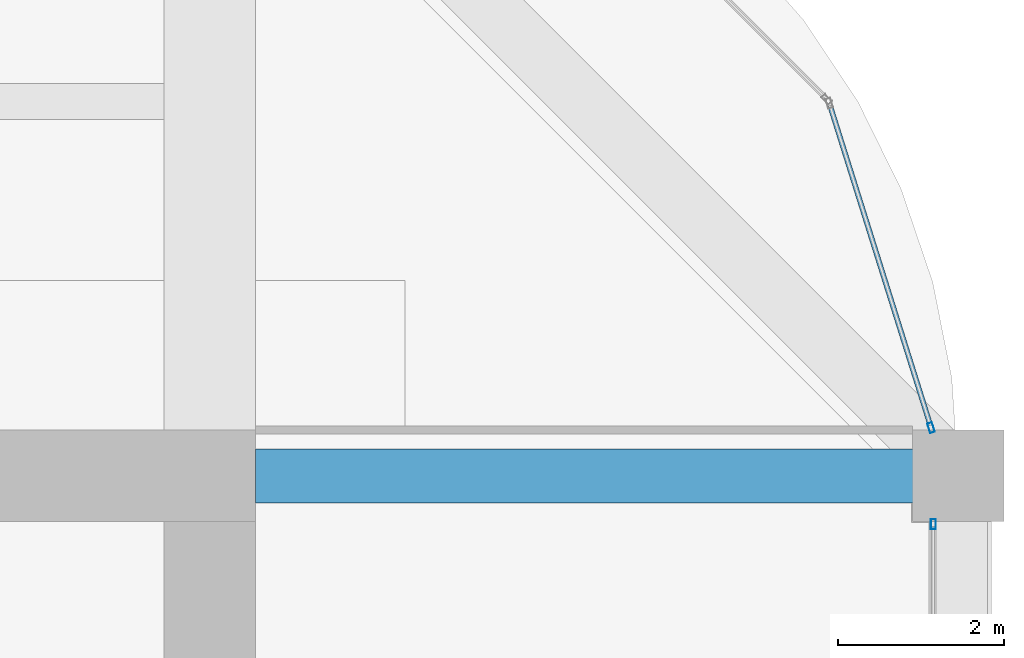
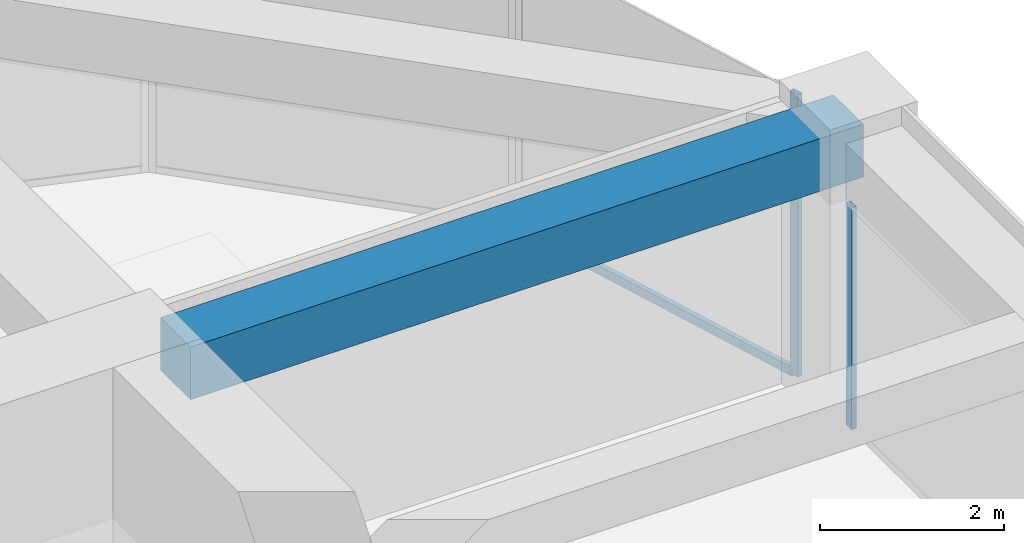
# One storey, part 36 of 44: 3 members, 1 beam, 2 elements without a shape of their own.
"""IFC4 building model written with IfcOpenShell, lengths in metres."""

from ifc_helpers import new_model, si_unit, direction, frame, origin, origin_2d, place, context, subcontext, project, spatial, rectangle, hollow_rectangle, extrude, material, material_profile, profile_set, type_object, element, aggregate, save


model = new_model("IFC4")

# Units and contexts
model_context = context("Model", 3, precision=1e-05, world=origin(), true_north=direction((0.0, 1.0)))
body_context = subcontext(model_context, "Body", "Model", "MODEL_VIEW")
ifc_project = project(units=[si_unit("LENGTHUNIT", "METRE"), si_unit("AREAUNIT", "SQUARE_METRE"), si_unit("VOLUMEUNIT", "CUBIC_METRE"), si_unit("PLANEANGLEUNIT", "RADIAN"), si_unit("MASSUNIT", "GRAM", prefix="KILO")], contexts=[model_context])

# Site, building, storey
site_placement = place(None, origin())
site = spatial("IfcSite", under=ifc_project, at=site_placement, CompositionType="ELEMENT")
building_placement = place(site_placement, origin())
building = spatial("IfcBuilding", under=site, at=building_placement, Name="Zorevar Civic Tower", CompositionType="ELEMENT")
storey_placement = place(building_placement, frame((0.0, 0.0, 263.39990234375)))
storey = spatial("IfcBuildingStorey", under=building, at=storey_placement, Name="L64", CompositionType="ELEMENT", Elevation=263.39990234375)

# Beam
ifc_material_1 = material(Name="Concrete C50/60", Category="concrete")
ifc_material_profile_1 = material_profile(ifc_material_1, rectangle(XDim=0.64990234375, YDim=0.699951171875, at=origin_2d()), Name="RC 650x700")
ifc_profile_set_1 = profile_set([ifc_material_profile_1], Name="Concrete C50/60")
beam_type = type_object("IfcBeamType", Name="Beam RC 650x700", PredefinedType="BEAM", material=ifc_profile_set_1)
beam_placement = place(storey_placement, frame((45.550048828125, 36.0, 3.400146484375), z_axis=(1.0, 0.0, 0.0), x_axis=(0.0, 1.0, 0.0)))
element("IfcBeam", 1, at=beam_placement, inside=storey, type_object=beam_type, Name="Girder L65", PredefinedType="BEAM", context=body_context, shape_type="SweptSolid", body=[
    extrude(rectangle(XDim=0.64990234375, YDim=0.699951171875, at=origin_2d()), origin(), (0.0, 0.0, 1.0), 8.449951171875),
])

# Curtain wall, member
ifc_material_2 = material(Name="Dark grey solar-control glass in black aluminium frame", Category="aluminium")
curtain_wall_type = type_object("IfcCurtainWallType", Name="Curtain wall CW5 top zone", PredefinedType="NOTDEFINED", material=ifc_material_2)
curtain_wall_1_placement = place(storey_placement, origin())
curtain_wall_1 = element("IfcCurtainWall", 2, at=curtain_wall_1_placement, inside=storey, type_object=curtain_wall_type, Name="CW5 L64", PredefinedType="NOTDEFINED")
ifc_material_3 = material(Name="Aluminium, black anodised", Category="aluminium")
ifc_material_profile_2 = material_profile(ifc_material_3, hollow_rectangle(XDim=0.06005859375, YDim=0.1201171875, WallThickness=0.0029296875, at=origin_2d()), Name="AL 120x60x3")
ifc_profile_set_2 = profile_set([ifc_material_profile_2], Name="Aluminium, black anodised")
member_type_1 = type_object("IfcMemberType", Name="CW5 mullion AL 120x60x3", PredefinedType="MULLION", material=ifc_profile_set_2)
member_1_placement = place(storey_placement, frame((53.699951171875, 35.419921875, 0.0), z_axis=(0.0, 0.0, 1.0), x_axis=(-1.0, 0.0, 0.0)))
member_1 = element("IfcMember", 3, at=member_1_placement, type_object=member_type_1, Name="CW5 mullion 3", PredefinedType="MULLION", context=body_context, shape_type="SweptSolid", body=[
    extrude(hollow_rectangle(XDim=0.06005859375, YDim=0.1201171875, WallThickness=0.0029296875, at=origin_2d()), origin(), (0.0, 0.0, 1.0), 2.9501953125),
])
aggregate(curtain_wall_1, [member_1])

# Curtain wall, members
curtain_wall_2_placement = place(storey_placement, origin())
curtain_wall_2 = element("IfcCurtainWall", 4, at=curtain_wall_2_placement, inside=storey, type_object=curtain_wall_type, Name="CW5 L64", PredefinedType="NOTDEFINED")
member_2_placement = place(storey_placement, frame((53.673583984375, 36.57861328125, 0.0), z_axis=(0.0, 0.0, 1.0), x_axis=(-0.954153437674, -0.299317920238, 0.0)))
member_2 = element("IfcMember", 5, at=member_2_placement, type_object=member_type_1, Name="CW5 mullion 1", PredefinedType="MULLION", context=body_context, shape_type="SweptSolid", body=[
    extrude(hollow_rectangle(XDim=0.06005859375, YDim=0.1201171875, WallThickness=0.0029296875, at=origin_2d()), origin(), (0.0, 0.0, 1.0), 3.75),
])
ifc_material_4 = material(Name="Aluminium, black anodised", Category="aluminium")
ifc_material_profile_3 = material_profile(ifc_material_4, hollow_rectangle(XDim=0.06005859375, YDim=0.1201171875, WallThickness=0.0029296875, at=origin_2d()), Name="AL 120x60x3")
ifc_profile_set_3 = profile_set([ifc_material_profile_3], Name="Aluminium, black anodised")
member_type_2 = type_object("IfcMemberType", Name="CW5 transom AL 120x60x3", PredefinedType="USERDEFINED", material=ifc_profile_set_3)
member_3_placement = place(storey_placement, frame((53.66455078125, 36.607177734375, 0.030029296875), z_axis=(-0.299285978047, 0.954163457351, 0.0), x_axis=(-0.954163457351, -0.299285978047, 0.0)))
member_3 = element("IfcMember", 6, at=member_3_placement, type_object=member_type_2, Name="CW5 sill transom", ObjectType="TRANSOM", PredefinedType="USERDEFINED", context=body_context, shape_type="SweptSolid", body=[
    extrude(hollow_rectangle(XDim=0.06005859375, YDim=0.1201171875, WallThickness=0.0029296875, at=origin_2d()), origin(), (0.0, 0.0, 1.0), 4.028076171875),
])
aggregate(curtain_wall_2, [member_2, member_3])

save(model, "model.ifc")
